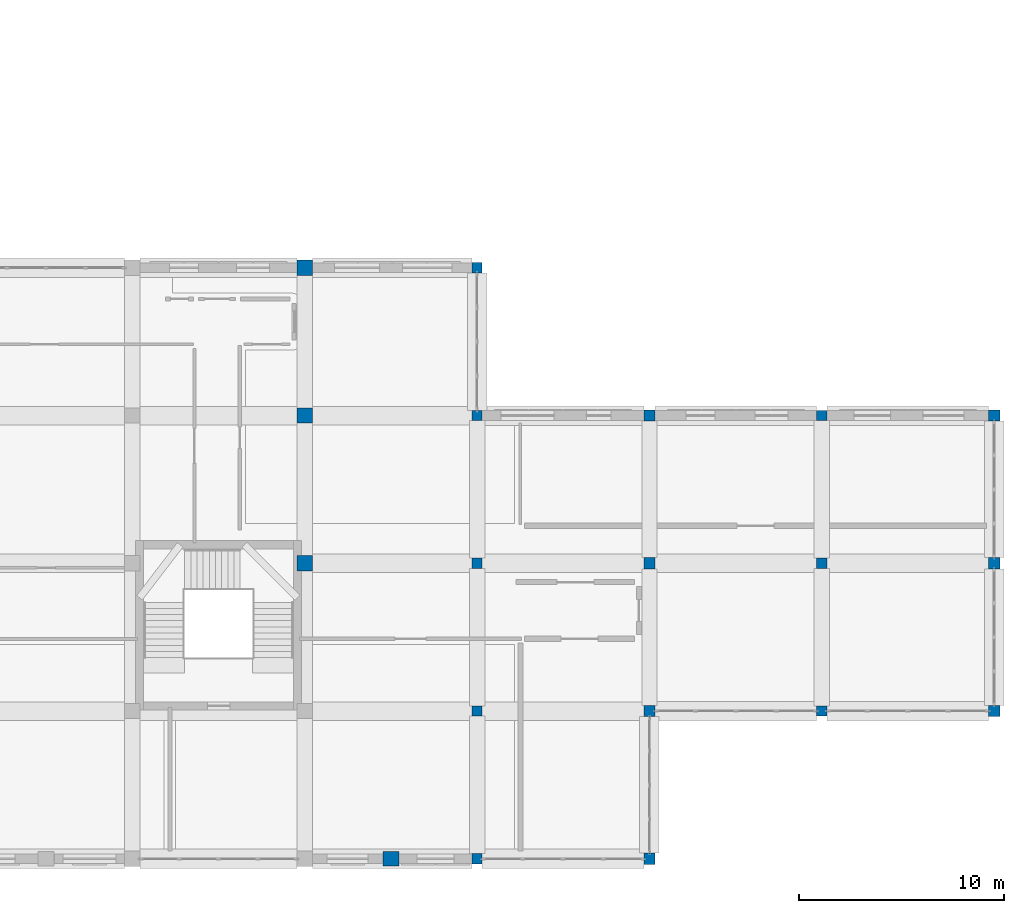
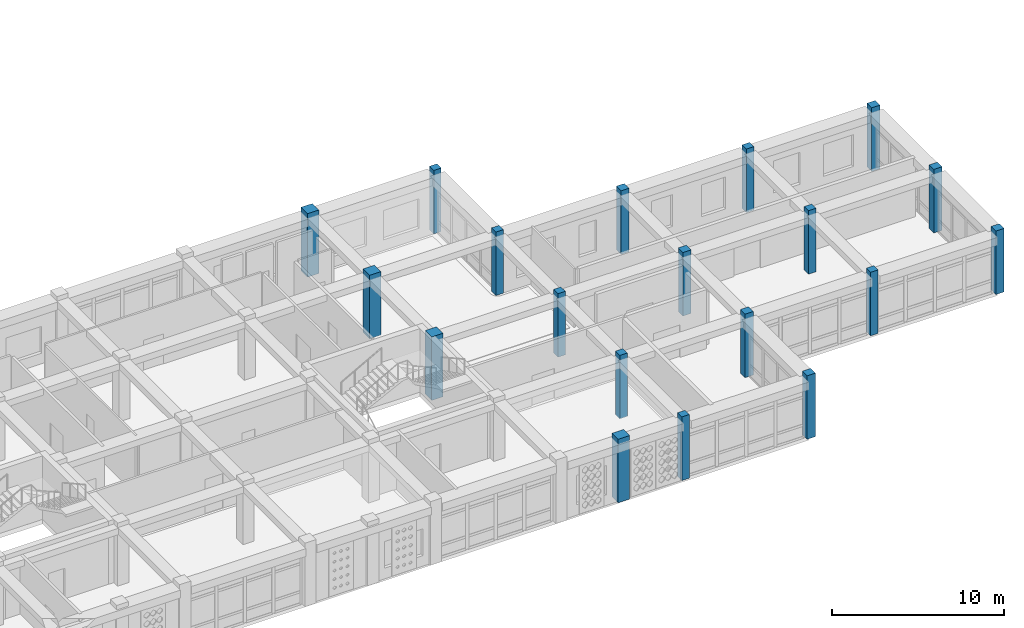
# One storey, part 2 of 121: 19 columns.
"""IFC4 building model written with IfcOpenShell, lengths in metres."""

from ifc_helpers import new_model, si_unit, derived_unit, direction, frame, origin, origin_2d, place, context, subcontext, project, spatial, rectangle, extrude, material, material_profile, profile_set, type_object, element, save


model = new_model("IFC4")

# Units and contexts
model_context = context("Model", 3, precision=1e-05, world=origin(), true_north=direction((0.0, 1.0)))
body_context = subcontext(model_context, "Body", "Model", "MODEL_VIEW")
ifc_project = project(units=[si_unit("LENGTHUNIT", "METRE"), si_unit("AREAUNIT", "SQUARE_METRE"), si_unit("VOLUMEUNIT", "CUBIC_METRE"), si_unit("PLANEANGLEUNIT", "RADIAN"), si_unit("MASSUNIT", "GRAM", prefix="KILO"), derived_unit("THERMALTRANSMITTANCEUNIT", [(si_unit("POWERUNIT", "WATT"), 1), (si_unit("LENGTHUNIT", "METRE"), -2), (si_unit("THERMODYNAMICTEMPERATUREUNIT", "KELVIN"), -1)])], contexts=[model_context])

# Site, building, storey
site_placement = place(None, origin())
site = spatial("IfcSite", under=ifc_project, at=site_placement, CompositionType="ELEMENT")
building_placement = place(site_placement, origin())
building = spatial("IfcBuilding", under=site, at=building_placement, Name="Veybourne Emporium", CompositionType="ELEMENT")
storey_placement = place(building_placement, frame((0.0, 0.0, 5.39990234375)))
storey = spatial("IfcBuildingStorey", under=building, at=storey_placement, Name="L01", CompositionType="ELEMENT", Elevation=5.39990234375)

# Columns
ifc_material = material(Name="Concrete C40/50", Category="concrete")
ifc_material_profile_1 = material_profile(ifc_material, rectangle(XDim=0.75, YDim=0.75, at=origin_2d()), Name="RC 750x750")
ifc_profile_set_1 = profile_set([ifc_material_profile_1], Name="Concrete C40/50")
column_type_1 = type_object("IfcColumnType", Name="Col_C-03", PredefinedType="COLUMN", material=ifc_profile_set_1)
for number, where, z_axis, x_axis, name in (
    (1, (134.39990234375, 14.39990234375, 0.0), (0.0, 0.0, 1.0), (1.0, 0.0, 0.0), "Column C-03 L01 (16,2)"),
    (2, (134.39990234375, 21.60009765625, 0.0), (0.0, 0.0, 1.0), (1.0, 0.0, 0.0), "Column C-03 L01 (16,3)"),
    (3, (134.39990234375, 28.800048828125, 0.0), (0.0, 0.0, 1.0), (1.0, 0.0, 0.0), "Column C-03 L01 (16,4)"),
):
    element("IfcColumn", number, at=place(storey_placement, frame(where, z_axis=z_axis, x_axis=x_axis)), inside=storey, type_object=column_type_1, Name=name, PredefinedType="COLUMN", context=body_context, shape_type="SweptSolid", body=[
        extrude(rectangle(XDim=0.75, YDim=0.75, at=origin_2d()), origin(), (0.0, 0.0, 1.0), 4.5),
    ])
ifc_material_profile_2 = material_profile(ifc_material, rectangle(XDim=0.550048828125, YDim=0.550048828125, at=origin_2d()), Name="RC 550x550")
ifc_profile_set_2 = profile_set([ifc_material_profile_2], Name="Concrete C40/50")
column_type_2 = type_object("IfcColumnType", Name="Col_C-07", PredefinedType="COLUMN", material=ifc_profile_set_2)
for number, where, z_axis, x_axis, name in (
    (4, (151.199951171875, 7.199951171875, 0.0), (0.0, 0.0, 1.0), (1.0, 0.0, 0.0), "Column C-07 L01 (18,1)"),
    (5, (151.199951171875, 14.39990234375, 0.0), (0.0, 0.0, 1.0), (1.0, 0.0, 0.0), "Column C-07 L01 (18,2)"),
    (6, (151.199951171875, 21.60009765625, 0.0), (0.0, 0.0, 1.0), (1.0, 0.0, 0.0), "Column C-07 L01 (18,3)"),
):
    element("IfcColumn", number, at=place(storey_placement, frame(where, z_axis=z_axis, x_axis=x_axis)), inside=storey, type_object=column_type_2, Name=name, PredefinedType="COLUMN", context=body_context, shape_type="SweptSolid", body=[
        extrude(rectangle(XDim=0.550048828125, YDim=0.550048828125, at=origin_2d()), origin(), (0.0, 0.0, 1.0), 4.5),
    ])
ifc_material_profile_3 = material_profile(ifc_material, rectangle(XDim=0.5, YDim=0.5, at=origin_2d()), Name="RC 500x500")
ifc_profile_set_3 = profile_set([ifc_material_profile_3], Name="Concrete C40/50")
column_type_3 = type_object("IfcColumnType", Name="Col_C-08", PredefinedType="COLUMN", material=ifc_profile_set_3)
for number, where, z_axis, x_axis, name in (
    (7, (142.800048828125, 7.199951171875, 0.0), (0.0, 0.0, 1.0), (1.0, 0.0, 0.0), "Column C-08 L01 (17,1)"),
    (8, (142.800048828125, 14.39990234375, 0.0), (0.0, 0.0, 1.0), (1.0, 0.0, 0.0), "Column C-08 L01 (17,2)"),
    (9, (142.800048828125, 21.60009765625, 0.0), (0.0, 0.0, 1.0), (1.0, 0.0, 0.0), "Column C-08 L01 (17,3)"),
    (10, (142.800048828125, 28.800048828125, 0.0), (0.0, 0.0, 1.0), (1.0, 0.0, 0.0), "Column C-08 L01 (17,4)"),
    (11, (159.60009765625, 7.199951171875, 0.0), (0.0, 0.0, 1.0), (1.0, 0.0, 0.0), "Column C-08 L01 (19,1)"),
    (12, (159.60009765625, 14.39990234375, 0.0), (0.0, 0.0, 1.0), (1.0, 0.0, 0.0), "Column C-08 L01 (19,2)"),
    (13, (159.60009765625, 21.60009765625, 0.0), (0.0, 0.0, 1.0), (1.0, 0.0, 0.0), "Column C-08 L01 (19,3)"),
):
    element("IfcColumn", number, at=place(storey_placement, frame(where, z_axis=z_axis, x_axis=x_axis)), inside=storey, type_object=column_type_3, Name=name, PredefinedType="COLUMN", context=body_context, shape_type="SweptSolid", body=[
        extrude(rectangle(XDim=0.5, YDim=0.5, at=origin_2d()), origin(), (0.0, 0.0, 1.0), 4.5),
    ])
ifc_material_profile_4 = material_profile(ifc_material, rectangle(XDim=0.550048828125, YDim=0.550048828125, at=origin_2d()), Name="RC 550x550")
ifc_profile_set_4 = profile_set([ifc_material_profile_4], Name="Concrete C40/50")
column_type_4 = type_object("IfcColumnType", Name="Col_CE-07", PredefinedType="COLUMN", material=ifc_profile_set_4)
for number, where, z_axis, x_axis, name in (
    (14, (151.199951171875, 0.0, 0.0), (0.0, 0.0, 1.0), (1.0, 0.0, 0.0), "Column CE-07 L01 (18,0)"),
    (15, (168.0, 7.199951171875, 0.0), (0.0, 0.0, 1.0), (1.0, 0.0, 0.0), "Column CE-07 L01 (20,1)"),
    (16, (168.0, 14.39990234375, 0.0), (0.0, 0.0, 1.0), (1.0, 0.0, 0.0), "Column CE-07 L01 (20,2)"),
    (17, (168.0, 21.60009765625, 0.0), (0.0, 0.0, 1.0), (1.0, 0.0, 0.0), "Column CE-07 L01 (20,3)"),
):
    element("IfcColumn", number, at=place(storey_placement, frame(where, z_axis=z_axis, x_axis=x_axis)), inside=storey, type_object=column_type_4, Name=name, PredefinedType="COLUMN", context=body_context, shape_type="SweptSolid", body=[
        extrude(rectangle(XDim=0.550048828125, YDim=0.550048828125, at=origin_2d()), origin(), (0.0, 0.0, 1.0), 4.5),
    ])
ifc_material_profile_5 = material_profile(ifc_material, rectangle(XDim=0.5, YDim=0.5, at=origin_2d()), Name="RC 500x500")
ifc_profile_set_5 = profile_set([ifc_material_profile_5], Name="Concrete C40/50")
column_type_5 = type_object("IfcColumnType", Name="Col_CE-08", PredefinedType="COLUMN", material=ifc_profile_set_5)
column_1_placement = place(storey_placement, frame((142.800048828125, 0.0, 0.0), z_axis=(0.0, 0.0, 1.0), x_axis=(1.0, 0.0, 0.0)))
element("IfcColumn", 18, at=column_1_placement, inside=storey, type_object=column_type_5, Name="Column CE-08 L01 (17,0)", PredefinedType="COLUMN", context=body_context, shape_type="SweptSolid", body=[
    extrude(rectangle(XDim=0.5, YDim=0.5, at=origin_2d()), origin(), (0.0, 0.0, 1.0), 4.5),
])
ifc_material_profile_6 = material_profile(ifc_material, rectangle(XDim=0.780029296875, YDim=0.719970703125, at=origin_2d()), Name="RC 780x720")
ifc_profile_set_6 = profile_set([ifc_material_profile_6], Name="Concrete C40/50")
column_type_6 = type_object("IfcColumnType", Name="Col_CE-11", PredefinedType="PILASTER", material=ifc_profile_set_6)
column_2_placement = place(storey_placement, frame((138.60009765625, 0.0, 0.0), z_axis=(0.0, 0.0, 1.0), x_axis=(1.0, 0.0, 0.0)))
element("IfcColumn", 19, at=column_2_placement, inside=storey, type_object=column_type_6, Name="Fluted stone pilaster CE-11 L01-17", PredefinedType="PILASTER", context=body_context, shape_type="SweptSolid", body=[
    extrude(rectangle(XDim=0.780029296875, YDim=0.719970703125, at=origin_2d()), origin(), (0.0, 0.0, 1.0), 4.5),
])

save(model, "model.ifc")
